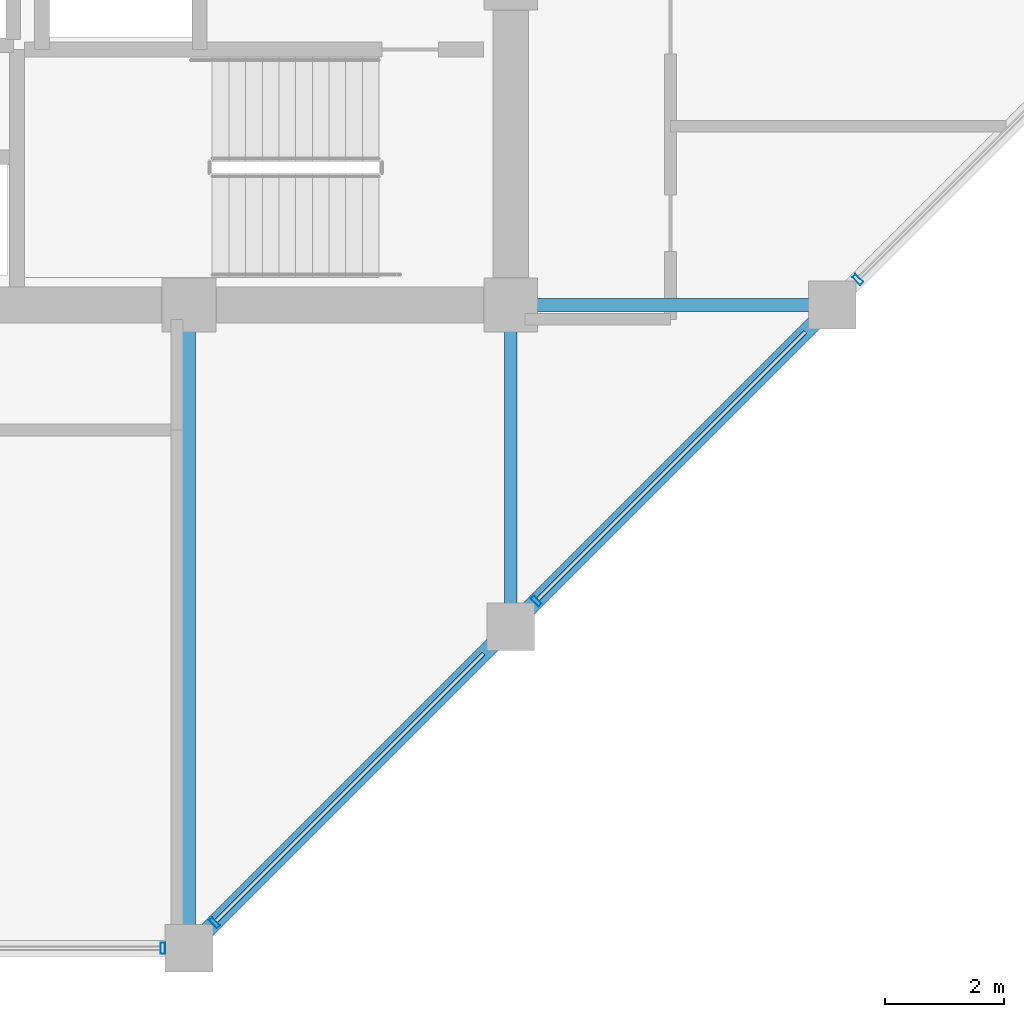
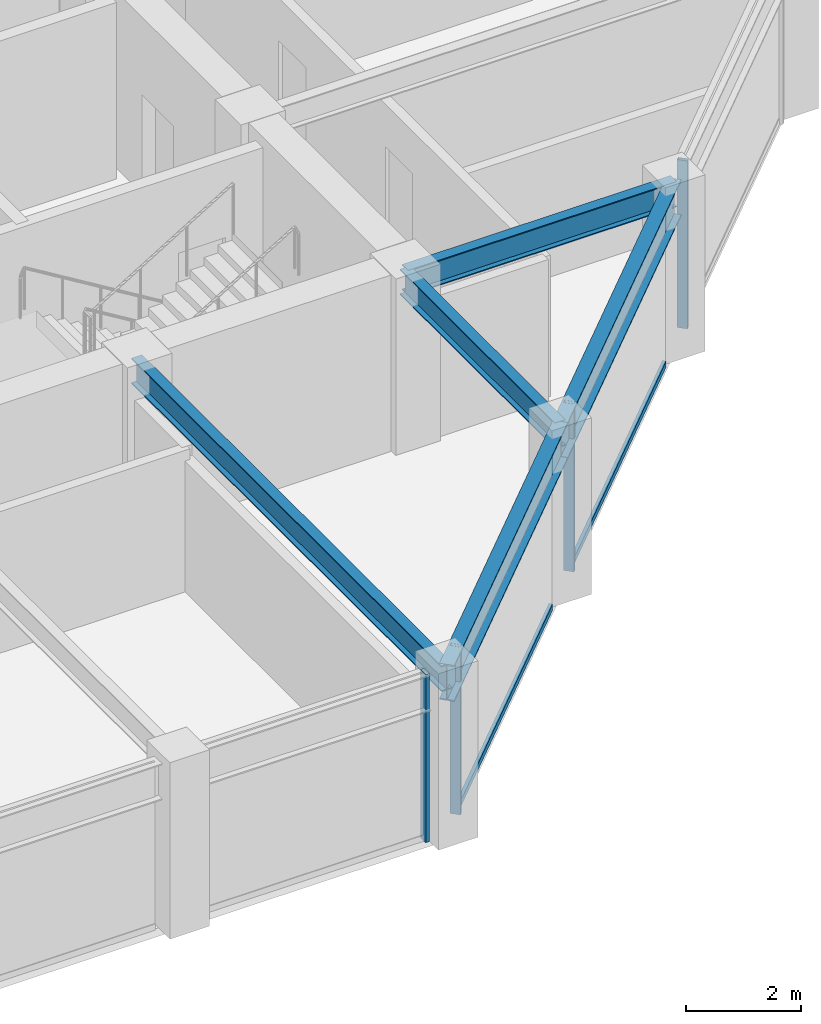
# One storey, part 9 of 28: 6 members, 5 beams, 2 elements without a shape of their own.
"""IFC4 building model written with IfcOpenShell, lengths in metres."""

from ifc_helpers import new_model, si_unit, direction, frame, origin, origin_2d, place, context, subcontext, project, spatial, hollow_rectangle, i_section, extrude, material, layer, layer_set, material_profile, profile_set, type_object, element, aggregate, save


model = new_model("IFC4")

# Units and contexts
model_context = context("Model", 3, precision=1e-05, world=origin(), true_north=direction((0.0, 1.0)))
body_context = subcontext(model_context, "Body", "Model", "MODEL_VIEW")
ifc_project = project(units=[si_unit("LENGTHUNIT", "METRE"), si_unit("AREAUNIT", "SQUARE_METRE"), si_unit("VOLUMEUNIT", "CUBIC_METRE"), si_unit("PLANEANGLEUNIT", "RADIAN"), si_unit("MASSUNIT", "GRAM", prefix="KILO")], contexts=[model_context])

# Site, building, storey
site_placement = place(None, origin())
site = spatial("IfcSite", under=ifc_project, at=site_placement, CompositionType="ELEMENT")
building_placement = place(site_placement, origin())
building = spatial("IfcBuilding", under=site, at=building_placement, Name="Surkhivell Harbour Commons", CompositionType="ELEMENT")
storey_placement = place(building_placement, frame((0.0, 0.0, 242.25)))
storey = spatial("IfcBuildingStorey", under=building, at=storey_placement, Name="L63", CompositionType="ELEMENT", Elevation=242.25)

# Beams
ifc_material_1 = material(Name="Steel S355", Category="steel")
ifc_material_profile_1 = material_profile(ifc_material_1, i_section(OverallWidth=0.2119140625, OverallDepth=0.5439453125, WebThickness=0.0126953125, FlangeThickness=0.021240234375, at=origin_2d()), Name="UB533x210x122")
ifc_profile_set_1 = profile_set([ifc_material_profile_1], Name="Steel S355")
beam_type_1 = type_object("IfcBeamType", Name="BM-GRD-533A", PredefinedType="BEAM", material=ifc_profile_set_1)
beam_1_placement = place(storey_placement, frame((5.39990234375, -21.60009765625, 3.298095703125), z_axis=(0.0, 1.0, 0.0), x_axis=(-1.0, 0.0, 0.0)))
element("IfcBeam", 1, at=beam_1_placement, inside=storey, type_object=beam_type_1, Name="L63 Floor Girder (5.4,-21.6)", PredefinedType="BEAM", context=body_context, shape_type="SweptSolid", body=[
    extrude(i_section(OverallWidth=0.2119140625, OverallDepth=0.5439453125, WebThickness=0.0126953125, FlangeThickness=0.021240234375, at=origin_2d()), origin(), (0.0, 0.0, 1.0), 10.800048828125),
])
for number, where, z_axis, x_axis, name in (
    (2, (10.800048828125, -16.199951171875, 3.298095703125), (0.0, 1.0, 0.0), (-1.0, 0.0, 0.0), "L63 Floor Girder (10.8,-16.2)"),
    (3, (10.800048828125, -10.800048828125, 3.298095703125), (1.0, 0.0, 0.0), (0.0, 1.0, 0.0), "L63 Floor Girder (10.8,-10.8)"),
):
    element("IfcBeam", number, at=place(storey_placement, frame(where, z_axis=z_axis, x_axis=x_axis)), inside=storey, type_object=beam_type_1, Name=name, PredefinedType="BEAM", context=body_context, shape_type="SweptSolid", body=[
        extrude(i_section(OverallWidth=0.2119140625, OverallDepth=0.5439453125, WebThickness=0.0126953125, FlangeThickness=0.021240234375, at=origin_2d()), origin(), (0.0, 0.0, 1.0), 5.39990234375),
    ])
ifc_material_profile_2 = material_profile(ifc_material_1, i_section(OverallWidth=0.26806640625, OverallDepth=0.77001953125, WebThickness=0.015625, FlangeThickness=0.025390625, at=origin_2d()), Name="UB762x267x197")
ifc_profile_set_2 = profile_set([ifc_material_profile_2], Name="Steel S355")
beam_type_2 = type_object("IfcBeamType", Name="BM-SPN-762", PredefinedType="SPANDREL", material=ifc_profile_set_2)
beam_2_placement = place(storey_placement, frame((5.39990234375, -21.60009765625, 3.18505859375), z_axis=(0.707106781187, 0.707106781187, 0.0), x_axis=(-0.707106781187, 0.707106781187, 0.0)))
element("IfcBeam", 4, at=beam_2_placement, inside=storey, type_object=beam_type_2, Name="L63 Tube Spandrel (5.4,-21.6)", PredefinedType="SPANDREL", context=body_context, shape_type="SweptSolid", body=[
    extrude(i_section(OverallWidth=0.26806640625, OverallDepth=0.77001953125, WebThickness=0.015625, FlangeThickness=0.025390625, at=origin_2d()), origin(), (0.0, 0.0, 1.0), 7.636962890625),
])
beam_3_placement = place(storey_placement, frame((10.800048828125, -16.199951171875, 3.18505859375), z_axis=(0.707106781187, 0.707106781187, 0.0), x_axis=(-0.707106781187, 0.707106781187, 0.0)))
element("IfcBeam", 5, at=beam_3_placement, inside=storey, type_object=beam_type_2, Name="L63 Tube Spandrel (10.8,-16.2)", PredefinedType="SPANDREL", context=body_context, shape_type="SweptSolid", body=[
    extrude(i_section(OverallWidth=0.26806640625, OverallDepth=0.77001953125, WebThickness=0.015625, FlangeThickness=0.025390625, at=origin_2d()), origin(), (0.0, 0.0, 1.0), 7.63671875),
])

# Curtain wall, member
ifc_material_2 = material(Name="Anodised pale-metal aluminium and insulated glazing", Category="aluminium")
ifc_layer = layer(ifc_material_2, 0.18994140625)
ifc_layer_set = layer_set([ifc_layer], Name="Anodised pale-metal aluminium and insulated glazing")
curtain_wall_type = type_object("IfcCurtainWallType", Name="CW-SYS-Z3", PredefinedType="NOTDEFINED", material=ifc_layer_set)
curtain_wall_1_placement = place(storey_placement, origin())
curtain_wall_1 = element("IfcCurtainWall", 6, at=curtain_wall_1_placement, inside=storey, type_object=curtain_wall_type, Name="L63 Curtain Wall CW-L63-E00S2", PredefinedType="NOTDEFINED")
ifc_material_3 = material(Name="Anodised pale-metal aluminium alloy 6063-T6", Category="aluminium")
ifc_material_profile_3 = material_profile(ifc_material_3, hollow_rectangle(XDim=0.074951171875, YDim=0.18994140625, WallThickness=0.00390625, at=origin_2d()), Name="ALU-MULL-75x190")
ifc_profile_set_3 = profile_set([ifc_material_profile_3], Name="Anodised pale-metal aluminium alloy 6063-T6")
member_type_1 = type_object("IfcMemberType", Name="CWM-190", PredefinedType="MULLION", material=ifc_profile_set_3)
member_1_placement = place(storey_placement, frame((4.96044921875, -21.60009765625, 0.0), z_axis=(0.0, 0.0, 1.0), x_axis=(1.0, 0.0, 0.0)))
member_1 = element("IfcMember", 7, at=member_1_placement, type_object=member_type_1, Name="CW-Z3 mullion 3", PredefinedType="MULLION", context=body_context, shape_type="SweptSolid", body=[
    extrude(hollow_rectangle(XDim=0.074951171875, YDim=0.18994140625, WallThickness=0.00390625, at=origin_2d()), origin(), (0.0, 0.0, 1.0), 3.570068359375),
])
aggregate(curtain_wall_1, [member_1])

# Curtain wall, members
curtain_wall_2_placement = place(storey_placement, origin())
curtain_wall_2 = element("IfcCurtainWall", 8, at=curtain_wall_2_placement, inside=storey, type_object=curtain_wall_type, Name="L63 Curtain Wall CW-L63-E01", PredefinedType="NOTDEFINED")
member_2_placement = place(storey_placement, frame((5.828125, -21.171875, 0.0), z_axis=(0.0, 0.0, 1.0), x_axis=(0.707106781187, 0.707106781187, 0.0)))
member_2 = element("IfcMember", 9, at=member_2_placement, type_object=member_type_1, Name="CW-Z3 mullion 1", PredefinedType="MULLION", context=body_context, shape_type="SweptSolid", body=[
    extrude(hollow_rectangle(XDim=0.074951171875, YDim=0.18994140625, WallThickness=0.00390625, at=origin_2d()), origin(), (0.0, 0.0, 1.0), 3.570068359375),
])
member_3_placement = place(storey_placement, frame((11.228271484375, -15.771728515625, 0.0), z_axis=(0.0, 0.0, 1.0), x_axis=(0.707106781187, 0.707106781187, 0.0)))
member_3 = element("IfcMember", 10, at=member_3_placement, type_object=member_type_1, Name="CW-Z3 mullion 2", PredefinedType="MULLION", context=body_context, shape_type="SweptSolid", body=[
    extrude(hollow_rectangle(XDim=0.074951171875, YDim=0.18994140625, WallThickness=0.00390625, at=origin_2d()), origin(), (0.0, 0.0, 1.0), 3.570068359375),
])
member_4_placement = place(storey_placement, frame((16.628173828125, -10.371826171875, 0.0), z_axis=(0.0, 0.0, 1.0), x_axis=(0.707106781187, 0.707106781187, 0.0)))
member_4 = element("IfcMember", 11, at=member_4_placement, type_object=member_type_1, Name="CW-Z3 mullion 3", PredefinedType="MULLION", context=body_context, shape_type="SweptSolid", body=[
    extrude(hollow_rectangle(XDim=0.074951171875, YDim=0.18994140625, WallThickness=0.00390625, at=origin_2d()), origin(), (0.0, 0.0, 1.0), 3.570068359375),
])
ifc_material_4 = material(Name="Champagne anodised aluminium alloy 6063-T6", Category="aluminium")
ifc_material_profile_4 = material_profile(ifc_material_4, hollow_rectangle(XDim=0.070068359375, YDim=0.1298828125, WallThickness=0.00341796875, at=origin_2d()), Name="ALU-TRAN-70x130")
ifc_profile_set_4 = profile_set([ifc_material_profile_4], Name="Champagne anodised aluminium alloy 6063-T6")
member_type_2 = type_object("IfcMemberType", Name="CWT-130", PredefinedType="USERDEFINED", material=ifc_profile_set_4)
member_5_placement = place(storey_placement, frame((5.854736328125, -21.145263671875, 0.06494140625), z_axis=(0.707106781187, 0.707106781187, 0.0), x_axis=(-0.707106781187, 0.707106781187, 0.0)))
member_5 = element("IfcMember", 12, at=member_5_placement, type_object=member_type_2, Name="CW-Z3 transom 1.1", ObjectType="TRANSOM", PredefinedType="USERDEFINED", context=body_context, shape_type="SweptSolid", body=[
    extrude(hollow_rectangle(XDim=0.070068359375, YDim=0.1298828125, WallThickness=0.00341796875, at=origin_2d()), origin(), (0.0, 0.0, 1.0), 6.3505859375),
])
member_6_placement = place(storey_placement, frame((11.254638671875, -15.745361328125, 0.06494140625), z_axis=(0.707106781187, 0.707106781187, 0.0), x_axis=(-0.707106781187, 0.707106781187, 0.0)))
member_6 = element("IfcMember", 13, at=member_6_placement, type_object=member_type_2, Name="CW-Z3 transom 2.1", ObjectType="TRANSOM", PredefinedType="USERDEFINED", context=body_context, shape_type="SweptSolid", body=[
    extrude(hollow_rectangle(XDim=0.070068359375, YDim=0.1298828125, WallThickness=0.00341796875, at=origin_2d()), origin(), (0.0, 0.0, 1.0), 6.350830078125),
])
aggregate(curtain_wall_2, [member_2, member_5, member_3, member_6, member_4])

save(model, "model.ifc")
